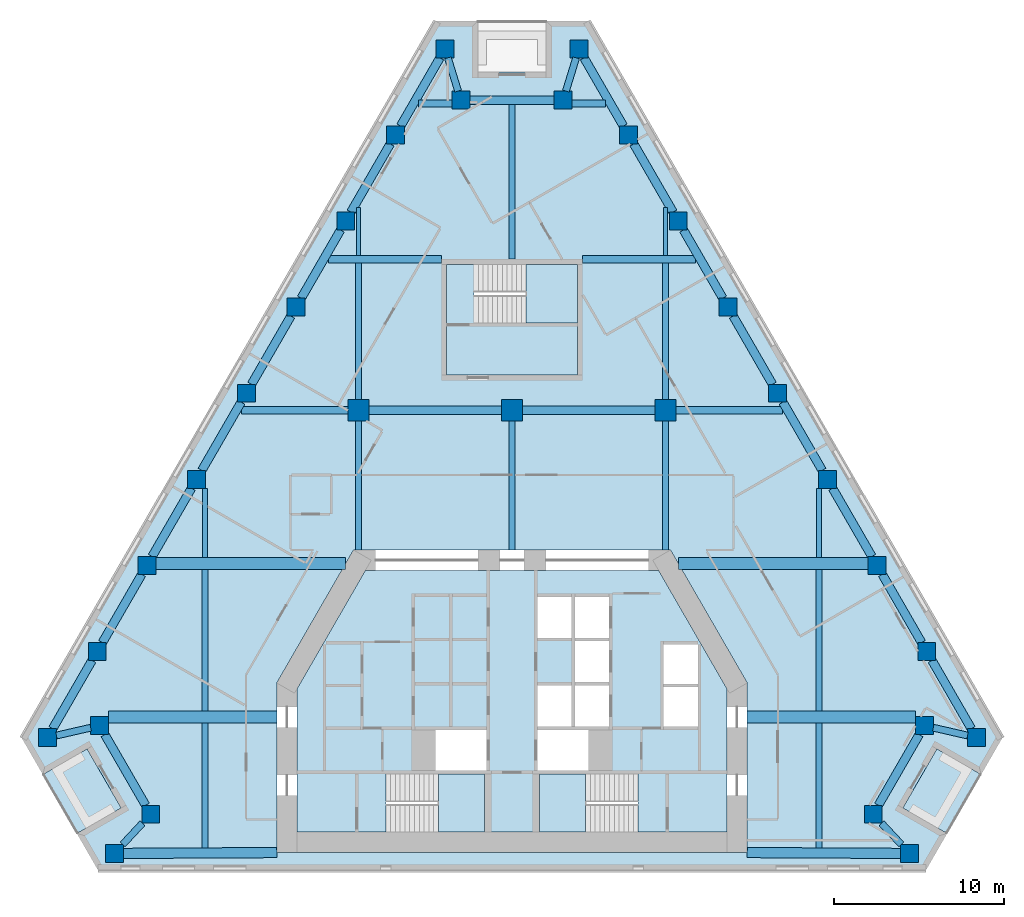
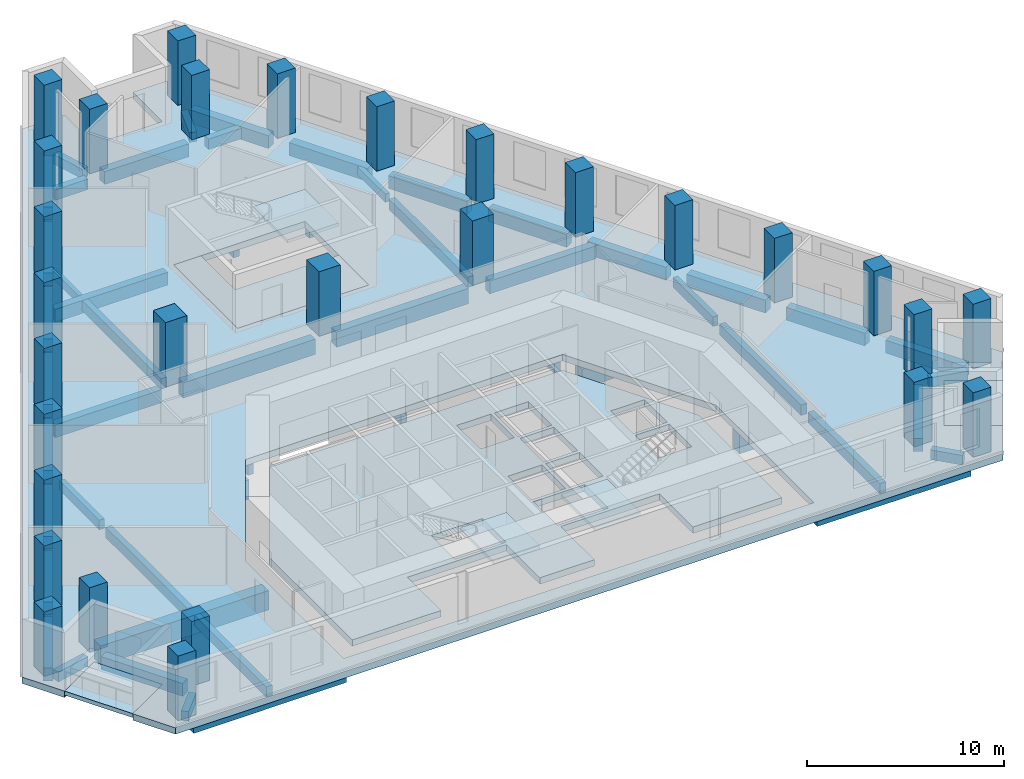
# One storey, part 1 of 8: 53 beams, 29 columns, 8 slabs, 3 elements without a shape of their own.
"""IFC4 building model written with IfcOpenShell, lengths in metres."""

import ifcopenshell
import ifcopenshell.guid

model = None  # the IFC model being written
_history = None  # IfcOwnerHistory: only IFC2X3 demands one
_inside = {}  # id of a spatial element -> (the spatial element, [elements in it])
_under = {}  # id of a project, library or spatial element -> (it, [spatial elements below it])
_declared = {}  # id of a project -> (the project, [libraries it declares])
_typed = {}  # id of a type object -> (the type object, [elements of that type])
_made_of = {}  # id of a material, layer set ... -> (it, [elements and type objects made of it])


def new_model(schema):
    """Start an empty IFC model of exactly this schema.

    Asked for "IFC4X3", IfcOpenShell would pick the latest addendum, in which some entities
    have other attributes; the version numbers below select the first issue.
    IFC2X3 requires an IfcOwnerHistory on every rooted entity: one is made here for all.
    """
    global model, _history
    if schema == "IFC4X3":
        model = ifcopenshell.file(schema_version=(4, 3, 0, 0))
    else:
        model = ifcopenshell.file(schema=schema)
    _inside.clear()
    _under.clear()
    _declared.clear()
    _typed.clear()
    _made_of.clear()
    _history = None
    if model.schema == "IFC2X3":
        org = make("IfcOrganization", Name="unknown")
        user = make(
            "IfcPersonAndOrganization",
            ThePerson=make("IfcPerson", FamilyName="unknown"),
            TheOrganization=org,
        )
        app = make(
            "IfcApplication",
            ApplicationDeveloper=org,
            Version="unknown",
            ApplicationFullName="unknown",
            ApplicationIdentifier="unknown",
        )
        _history = make(
            "IfcOwnerHistory",
            OwningUser=user,
            OwningApplication=app,
            ChangeAction="ADDED",
            CreationDate=0,
        )
    return model


def make(cls, **values):
    """One entity of the class cls with the attributes given. An attribute that is None is left unset."""
    return model.create_entity(
        cls, **{name: value for name, value in values.items() if value is not None}
    )


def rooted(cls, **values):
    """An entity with a GlobalId (a new one), such as an element, a storey or a relation."""
    return make(cls, GlobalId=ifcopenshell.guid.new(), OwnerHistory=_history, **values)


def si_unit(unit_type, name, prefix=None):
    """IfcSIUnit, for example si_unit("LENGTHUNIT", "METRE", prefix="MILLI")."""
    return make("IfcSIUnit", UnitType=unit_type, Prefix=prefix, Name=name)


def assignment(units):
    """IfcUnitAssignment: the units of a project."""
    return None if units is None else make("IfcUnitAssignment", Units=units)


def point(xyz):
    """IfcCartesianPoint."""
    return None if xyz is None else make("IfcCartesianPoint", Coordinates=xyz)


def direction(xyz):
    """IfcDirection."""
    return None if xyz is None else make("IfcDirection", DirectionRatios=xyz)


def frame(location, z_axis=None, x_axis=None):
    """IfcAxis2Placement3D, a coordinate frame: its origin and axes. An axis left out is left unset."""
    return make(
        "IfcAxis2Placement3D",
        Location=point(location),
        Axis=direction(z_axis),
        RefDirection=direction(x_axis),
    )


def frame_2d(location, x_axis=None):
    """IfcAxis2Placement2D, a coordinate frame in the plane: its origin and x axis."""
    return make(
        "IfcAxis2Placement2D", Location=point(location), RefDirection=direction(x_axis)
    )


def origin():
    """The frame at (0, 0, 0) with its axes left unset."""
    return frame((0.0, 0.0, 0.0))


def origin_2d():
    """The frame at (0, 0) in the plane with its x axis left unset."""
    return frame_2d((0.0, 0.0))


def place(relative_to, where):
    """IfcLocalPlacement: puts the frame where relative to a parent placement (None: the world)."""
    return make(
        "IfcLocalPlacement", PlacementRelTo=relative_to, RelativePlacement=where
    )


def context(
    kind, dimensions, precision=None, world=None, true_north=None, identifier=None
):
    """IfcGeometricRepresentationContext, for example the 3D "Model" context."""
    return make(
        "IfcGeometricRepresentationContext",
        ContextIdentifier=identifier,
        ContextType=kind,
        CoordinateSpaceDimension=dimensions,
        Precision=precision,
        WorldCoordinateSystem=world,
        TrueNorth=true_north,
    )


def subcontext(parent, identifier, kind, view, scale=None):
    """IfcGeometricRepresentationSubContext, for example "Body" below "Model"."""
    return make(
        "IfcGeometricRepresentationSubContext",
        ContextIdentifier=identifier,
        ContextType=kind,
        ParentContext=parent,
        TargetScale=scale,
        TargetView=view,
    )


def project(units=None, contexts=None):
    """IfcProject with its units and contexts."""
    return rooted(
        "IfcProject",
        Name="project",
        RepresentationContexts=contexts,
        UnitsInContext=assignment(units),
    )


def spatial(cls, under=None, at=None, **own):
    """A site, building, storey or space (cls), placed at a placement, below another one or the project."""
    s = rooted(cls, ObjectPlacement=at, **own)
    if under is not None:
        _under.setdefault(under.id(), (under, []))[1].append(s)
    return s


def polyline(points):
    """IfcPolyline through the points."""
    return make("IfcPolyline", Points=[point(p) for p in points])


def profile(cls, at=None, kind="AREA", **sizes):
    """A parametric profile (cls). Its sizes go by their IFC names, for example OverallWidth=200.0."""
    return make(cls, ProfileType=kind, Position=at, **sizes)


def rectangle(**sizes):
    """IfcRectangleProfileDef."""
    return profile("IfcRectangleProfileDef", **sizes)


def outline(outer, holes=None, kind="AREA"):
    """IfcArbitraryClosedProfileDef: a profile drawn as a closed curve; with holes, ...WithVoids."""
    if holes is None:
        return make("IfcArbitraryClosedProfileDef", ProfileType=kind, OuterCurve=outer)
    return make(
        "IfcArbitraryProfileDefWithVoids",
        ProfileType=kind,
        OuterCurve=outer,
        InnerCurves=holes,
    )


def extrude(swept, where, along, depth):
    """IfcExtrudedAreaSolid: the profile swept, set in the frame where, extruded along a direction by depth."""
    return make(
        "IfcExtrudedAreaSolid",
        SweptArea=swept,
        Position=where,
        ExtrudedDirection=direction(along),
        Depth=depth,
    )


def shape(context_of_items, identifier, shape_type, items):
    """IfcShapeRepresentation: the items that make up one representation, for example the "Body"."""
    return make(
        "IfcShapeRepresentation",
        ContextOfItems=context_of_items,
        RepresentationIdentifier=identifier,
        RepresentationType=shape_type,
        Items=items,
    )


def material(Name=None, Category=None):
    """IfcMaterial."""
    return make("IfcMaterial", Name=Name, Category=Category)


def layer(
    of_material, thickness, ventilated=None, Name=None, Category=None, Priority=None
):
    """IfcMaterialLayer: one layer of a wall or slab, of a material (None: an air gap)."""
    return make(
        "IfcMaterialLayer",
        Material=of_material,
        LayerThickness=thickness,
        IsVentilated=ventilated,
        Name=Name,
        Category=Category,
        Priority=Priority,
    )


def layer_set(layers, Name=None):
    """IfcMaterialLayerSet."""
    return make("IfcMaterialLayerSet", MaterialLayers=layers, LayerSetName=Name)


def material_profile(
    of_material, cross_section, Name=None, Category=None, Priority=None
):
    """IfcMaterialProfile: a cross section and its material."""
    return make(
        "IfcMaterialProfile",
        Name=Name,
        Material=of_material,
        Profile=cross_section,
        Priority=Priority,
        Category=Category,
    )


def profile_set(profiles, Name=None, composite=None):
    """IfcMaterialProfileSet."""
    return make(
        "IfcMaterialProfileSet",
        Name=Name,
        MaterialProfiles=profiles,
        CompositeProfile=composite,
    )


def made_of(thing, what):
    """Note that an element or type object is made of a material, layer set ...; save() writes the relation."""
    if what is not None:
        _made_of.setdefault(what.id(), (what, []))[1].append(thing)
    return thing


def type_object(cls, material=None, **own):
    """A type object (cls), such as IfcWallType, which elements share."""
    return made_of(rooted(cls, **own), material)


def element(
    cls,
    number,
    at=None,
    inside=None,
    cuts=None,
    type_object=None,
    material=None,
    context=None,
    identifier="Body",
    shape_type=None,
    held_by="IfcProductDefinitionShape",
    body=None,
    shapes=None,
    **own,
):
    """One element of the class cls, such as IfcWall. Its Tag is "e" and its number.

    at: its placement. inside: the storey or other place that contains it. cuts: it is an
    opening in that element (IfcRelVoidsElement). A single representation is given by context,
    identifier, shape_type and body (its items); several are given by shapes. held_by: the class
    of the entity that holds the representations. save() writes the other relations.
    """
    e = rooted(cls, Tag="e%d" % number, ObjectPlacement=at, **own)
    if body is not None:
        shapes = [shape(context, identifier, shape_type, body)]
    if shapes is not None:
        e.Representation = make(held_by, Representations=shapes)
    if inside is not None:
        _inside.setdefault(inside.id(), (inside, []))[1].append(e)
    if cuts is not None:
        rooted(
            "IfcRelVoidsElement", RelatingBuildingElement=cuts, RelatedOpeningElement=e
        )
    if type_object is not None:
        _typed.setdefault(type_object.id(), (type_object, []))[1].append(e)
    return made_of(e, material)


def aggregate(whole, parts):
    """IfcRelAggregates: a whole, such as a stair, and the parts it consists of."""
    return rooted("IfcRelAggregates", RelatingObject=whole, RelatedObjects=parts)


def save(model, path):
    """Write the relations noted so far, then the file.

    IfcRelAggregates (storeys below a building ...), IfcRelContainedInSpatialStructure (elements
    in a storey), IfcRelDefinesByType, IfcRelAssociatesMaterial and IfcRelDeclares: one each for
    every whole, place, type object, material and project.
    """
    for whole, parts in _under.values():
        aggregate(whole, parts)
    for where, things in _inside.values():
        rooted(
            "IfcRelContainedInSpatialStructure",
            RelatedElements=things,
            RelatingStructure=where,
        )
    for kind, things in _typed.values():
        rooted("IfcRelDefinesByType", RelatedObjects=things, RelatingType=kind)
    for what, things in _made_of.values():
        rooted("IfcRelAssociatesMaterial", RelatedObjects=things, RelatingMaterial=what)
    for by, libraries in _declared.values():
        rooted("IfcRelDeclares", RelatingContext=by, RelatedDefinitions=libraries)
    model.write(path)


model = new_model("IFC4")

# Units and contexts
model_context = context("Model", 3, precision=1e-05, world=origin(), true_north=direction((0.0, 1.0)))
body_context = subcontext(model_context, "Body", "Model", "MODEL_VIEW")
ifc_project = project(units=[si_unit("LENGTHUNIT", "METRE"), si_unit("AREAUNIT", "SQUARE_METRE"), si_unit("VOLUMEUNIT", "CUBIC_METRE"), si_unit("PLANEANGLEUNIT", "RADIAN"), si_unit("MASSUNIT", "GRAM", prefix="KILO")], contexts=[model_context])

# Site, building, storey
site_placement = place(None, origin())
site = spatial("IfcSite", under=ifc_project, at=site_placement, CompositionType="ELEMENT")
building_placement = place(site_placement, origin())
building = spatial("IfcBuilding", under=site, at=building_placement, Name="Fogline Exchange Tower", CompositionType="ELEMENT")
storey_placement = place(building_placement, frame((0.0, 0.0, 158.89990234375)))
storey = spatial("IfcBuildingStorey", under=building, at=storey_placement, Name="L35", CompositionType="ELEMENT", Elevation=158.89990234375)

# Columns
ifc_material_1 = material(Name="Concrete C70", Category="concrete")
ifc_material_profile_1 = material_profile(ifc_material_1, rectangle(XDim=1.25, YDim=1.25, at=origin_2d()), Name="RC 1250x1250")
ifc_profile_set_1 = profile_set([ifc_material_profile_1], Name="Concrete C70")
column_type_1 = type_object("IfcColumnType", Name="C03", PredefinedType="COLUMN", material=ifc_profile_set_1)
for number, where, z_axis, x_axis, name in (
    (1, (-9.0, 27.0, 0.0), (0.0, 0.0, 1.0), (1.0, 0.0, 0.0), "IC--9-27"),
    (2, (0.0, 27.0, 0.0), (0.0, 0.0, 1.0), (1.0, 0.0, 0.0), "IC-0-27"),
    (3, (9.0, 27.0, 0.0), (0.0, 0.0, 1.0), (1.0, 0.0, 0.0), "IC-9-27"),
):
    element("IfcColumn", number, at=place(storey_placement, frame(where, z_axis=z_axis, x_axis=x_axis)), inside=storey, type_object=column_type_1, Name=name, PredefinedType="COLUMN", context=body_context, shape_type="SweptSolid", body=[
        extrude(rectangle(XDim=1.25, YDim=1.25, at=origin_2d()), origin(), (0.0, 0.0, 1.0), 4.0),
    ])
ifc_material_profile_2 = material_profile(ifc_material_1, rectangle(XDim=1.050048828125, YDim=1.050048828125, at=origin_2d()), Name="RC 1050x1050")
ifc_profile_set_2 = profile_set([ifc_material_profile_2], Name="Concrete C70")
column_type_2 = type_object("IfcColumnType", Name="C04", PredefinedType="COLUMN", material=ifc_profile_set_2)
for number, where, z_axis, x_axis, name in (
    (4, (-27.2490234375, 7.794189453125, 0.0), (0.0, 0.0, 1.0), (1.0, 0.0, 0.0), "SW-a"),
    (5, (-24.189697265625, 8.4951171875, 0.0), (0.0, 0.0, 1.0), (1.0, 0.0, 0.0), "SW-p4"),
    (6, (-21.189697265625, 3.299072265625, 0.0), (0.0, 0.0, 1.0), (1.0, 0.0, 0.0), "SW-p3"),
    (7, (-23.326416015625, 1.0, 0.0), (0.0, 0.0, 1.0), (1.0, 0.0, 0.0), "SW-b"),
    (8, (23.326416015625, 1.0, 0.0), (0.0, 0.0, 1.0), (1.0, 0.0, 0.0), "SE-a"),
    (9, (21.189697265625, 3.299072265625, 0.0), (0.0, 0.0, 1.0), (1.0, 0.0, 0.0), "SE-p4"),
    (10, (24.189697265625, 8.4951171875, 0.0), (0.0, 0.0, 1.0), (1.0, 0.0, 0.0), "SE-p3"),
    (11, (27.2490234375, 7.794189453125, 0.0), (0.0, 0.0, 1.0), (1.0, 0.0, 0.0), "SE-b"),
    (12, (24.333251953125, 12.844482421875, 0.0), (0.0, 0.0, 1.0), (1.0, 0.0, 0.0), "E1"),
    (13, (21.41748046875, 17.894775390625, 0.0), (0.0, 0.0, 1.0), (1.0, 0.0, 0.0), "E2"),
    (14, (18.501708984375, 22.945068359375, 0.0), (0.0, 0.0, 1.0), (1.0, 0.0, 0.0), "E3"),
    (15, (15.585693359375, 27.995361328125, 0.0), (0.0, 0.0, 1.0), (1.0, 0.0, 0.0), "E4"),
    (16, (12.669921875, 33.045654296875, 0.0), (0.0, 0.0, 1.0), (1.0, 0.0, 0.0), "E5"),
    (17, (9.754150390625, 38.095947265625, 0.0), (0.0, 0.0, 1.0), (1.0, 0.0, 0.0), "E6"),
    (18, (6.83837890625, 43.146240234375, 0.0), (0.0, 0.0, 1.0), (1.0, 0.0, 0.0), "E7"),
    (19, (3.922607421875, 48.19677734375, 0.0), (0.0, 0.0, 1.0), (1.0, 0.0, 0.0), "N-a"),
    (20, (3.0, 45.19677734375, 0.0), (0.0, 0.0, 1.0), (1.0, 0.0, 0.0), "N-p4"),
    (21, (-3.0, 45.19677734375, 0.0), (0.0, 0.0, 1.0), (1.0, 0.0, 0.0), "N-p3"),
    (22, (-3.922607421875, 48.19677734375, 0.0), (0.0, 0.0, 1.0), (1.0, 0.0, 0.0), "N-b"),
    (23, (-6.83837890625, 43.146240234375, 0.0), (0.0, 0.0, 1.0), (1.0, 0.0, 0.0), "W1"),
    (24, (-9.754150390625, 38.095947265625, 0.0), (0.0, 0.0, 1.0), (1.0, 0.0, 0.0), "W2"),
    (25, (-12.669921875, 33.045654296875, 0.0), (0.0, 0.0, 1.0), (1.0, 0.0, 0.0), "W3"),
    (26, (-15.585693359375, 27.995361328125, 0.0), (0.0, 0.0, 1.0), (1.0, 0.0, 0.0), "W4"),
    (27, (-18.501708984375, 22.945068359375, 0.0), (0.0, 0.0, 1.0), (1.0, 0.0, 0.0), "W5"),
    (28, (-21.41748046875, 17.894775390625, 0.0), (0.0, 0.0, 1.0), (1.0, 0.0, 0.0), "W6"),
    (29, (-24.333251953125, 12.844482421875, 0.0), (0.0, 0.0, 1.0), (1.0, 0.0, 0.0), "W7"),
):
    element("IfcColumn", number, at=place(storey_placement, frame(where, z_axis=z_axis, x_axis=x_axis)), inside=storey, type_object=column_type_2, Name=name, PredefinedType="COLUMN", context=body_context, shape_type="SweptSolid", body=[
        extrude(rectangle(XDim=1.050048828125, YDim=1.050048828125, at=origin_2d()), origin(), (0.0, 0.0, 1.0), 4.0),
    ])

# Beams
ifc_material_2 = material(Name="Concrete C40", Category="concrete")
ifc_material_profile_3 = material_profile(ifc_material_2, rectangle(XDim=0.300048828125, YDim=0.60009765625, at=origin_2d()), Name="RC 300x600")
ifc_profile_set_3 = profile_set([ifc_material_profile_3], Name="Concrete C40")
beam_type_1 = type_object("IfcBeamType", Name="B06", PredefinedType="BEAM", material=ifc_profile_set_3)
for number, where, z_axis, x_axis, name in (
    (30, (-18.0, 18.35009765625, -0.699951171875), (0.0, 1.0, 0.0), (-1.0, 0.0, 0.0), "SB003"),
    (31, (18.0, 18.35009765625, -0.699951171875), (0.0, 1.0, 0.0), (-1.0, 0.0, 0.0), "SB014"),
):
    element("IfcBeam", number, at=place(storey_placement, frame(where, z_axis=z_axis, x_axis=x_axis)), inside=storey, type_object=beam_type_1, Name=name, PredefinedType="BEAM", context=body_context, shape_type="SweptSolid", body=[
        extrude(rectangle(XDim=0.300048828125, YDim=0.60009765625, at=origin_2d()), origin(), (0.0, 0.0, 1.0), 4.070068359375),
    ])
ifc_material_profile_4 = material_profile(ifc_material_2, rectangle(XDim=0.25, YDim=0.5, at=origin_2d()), Name="RC 250x500")
ifc_profile_set_4 = profile_set([ifc_material_profile_4], Name="Concrete C40")
beam_type_2 = type_object("IfcBeamType", Name="B08", PredefinedType="BEAM", material=ifc_profile_set_4)
for number, where, z_axis, x_axis, name in (
    (32, (-9.0, 36.08203125, -0.64990234375), (0.0, 1.0, 0.0), (-1.0, 0.0, 0.0), "SB006"),
    (33, (9.0, 36.08203125, -0.64990234375), (0.0, 1.0, 0.0), (-1.0, 0.0, 0.0), "SB011"),
):
    element("IfcBeam", number, at=place(storey_placement, frame(where, z_axis=z_axis, x_axis=x_axis)), inside=storey, type_object=beam_type_2, Name=name, PredefinedType="BEAM", context=body_context, shape_type="SweptSolid", body=[
        extrude(rectangle(XDim=0.25, YDim=0.5, at=origin_2d()), origin(), (0.0, 0.0, 1.0), 2.8203125),
    ])
ifc_material_profile_5 = material_profile(ifc_material_2, rectangle(XDim=0.60009765625, YDim=0.89990234375, at=origin_2d()), Name="RC 600x900")
ifc_profile_set_5 = profile_set([ifc_material_profile_5], Name="Concrete C40")
beam_type_3 = type_object("IfcBeamType", Name="B09", PredefinedType="BEAM", material=ifc_profile_set_5)
for number, where, z_axis, x_axis, name in (
    (34, (-22.801513671875, 1.0, -0.849853515625), (0.999984543136, 0.005559990001, 0.0), (-0.005559990001, 0.999984543136, 0.0), "RB004"),
    (35, (13.800048828125, 1.050048828125, -0.849853515625), (0.999984543136, -0.005559990001, 0.0), (0.005559990001, 0.999984543136, 0.0), "RB005"),
):
    element("IfcBeam", number, at=place(storey_placement, frame(where, z_axis=z_axis, x_axis=x_axis)), inside=storey, type_object=beam_type_3, Name=name, PredefinedType="BEAM", context=body_context, shape_type="SweptSolid", body=[
        extrude(rectangle(XDim=0.60009765625, YDim=0.89990234375, at=origin_2d()), origin(), (0.0, 0.0, 1.0), 9.001708984375),
    ])
ifc_material_profile_6 = material_profile(ifc_material_2, rectangle(XDim=0.5, YDim=0.800048828125, at=origin_2d()), Name="RC 500x800")
ifc_profile_set_6 = profile_set([ifc_material_profile_6], Name="Concrete C40")
beam_type_4 = type_object("IfcBeamType", Name="B10", PredefinedType="BEAM", material=ifc_profile_set_6)
for number, where, z_axis, x_axis, name in (
    (36, (-23.886474609375, 7.97021484375, -0.7998046875), (0.499994660107, -0.866028486751, 0.0), (0.866028486751, 0.499994660107, 0.0), "RB002"),
    (37, (21.49267578125, 3.823974609375, -0.7998046875), (0.499994660107, 0.866028486751, 0.0), (-0.866028486751, 0.499994660107, 0.0), "RB007"),
):
    element("IfcBeam", number, at=place(storey_placement, frame(where, z_axis=z_axis, x_axis=x_axis)), inside=storey, type_object=beam_type_4, Name=name, PredefinedType="BEAM", context=body_context, shape_type="SweptSolid", body=[
        extrude(rectangle(XDim=0.5, YDim=0.800048828125, at=origin_2d()), origin(), (0.0, 0.0, 1.0), 4.78759765625),
    ])
for number, where, z_axis, x_axis, name in (
    (38, (26.94580078125, 8.319091796875, -0.7998046875), (-0.499981705991, 0.866035965578, 0.0), (-0.866035965578, -0.499981705991, 0.0), "RB009"),
    (39, (24.030029296875, 13.369384765625, -0.7998046875), (-0.499981705991, 0.866035965578, 0.0), (-0.866035965578, -0.499981705991, 0.0), "RB010"),
):
    element("IfcBeam", number, at=place(storey_placement, frame(where, z_axis=z_axis, x_axis=x_axis)), inside=storey, type_object=beam_type_4, Name=name, PredefinedType="BEAM", context=body_context, shape_type="SweptSolid", body=[
        extrude(rectangle(XDim=0.5, YDim=0.800048828125, at=origin_2d()), origin(), (0.0, 0.0, 1.0), 4.619384765625),
    ])
for number, where, z_axis, x_axis, name in (
    (40, (21.1142578125, 18.419921875, -0.7998046875), (-0.500004591975, 0.86602275259, 0.0), (-0.86602275259, -0.500004591975, 0.0), "RB011"),
    (41, (18.198486328125, 23.47021484375, -0.7998046875), (-0.500004591975, 0.86602275259, 0.0), (-0.86602275259, -0.500004591975, 0.0), "RB012"),
    (42, (15.28271484375, 28.5205078125, -0.7998046875), (-0.500004591975, 0.86602275259, 0.0), (-0.86602275259, -0.500004591975, 0.0), "RB013"),
    (43, (12.366943359375, 33.57080078125, -0.7998046875), (-0.500004591975, 0.86602275259, 0.0), (-0.86602275259, -0.500004591975, 0.0), "RB014"),
    (44, (9.451171875, 38.62109375, -0.7998046875), (-0.500004591975, 0.86602275259, 0.0), (-0.86602275259, -0.500004591975, 0.0), "RB015"),
    (45, (6.535400390625, 43.67138671875, -0.7998046875), (-0.500004591975, 0.86602275259, 0.0), (-0.86602275259, -0.500004591975, 0.0), "RB016"),
):
    element("IfcBeam", number, at=place(storey_placement, frame(where, z_axis=z_axis, x_axis=x_axis)), inside=storey, type_object=beam_type_4, Name=name, PredefinedType="BEAM", context=body_context, shape_type="SweptSolid", body=[
        extrude(rectangle(XDim=0.5, YDim=0.800048828125, at=origin_2d()), origin(), (0.0, 0.0, 1.0), 4.619140625),
    ])
beam_1_placement = place(storey_placement, frame((2.47509765625, 45.19677734375, -0.7998046875), z_axis=(-1.0, 0.0, 0.0), x_axis=(0.0, -1.0, 0.0)))
element("IfcBeam", 46, at=beam_1_placement, inside=storey, type_object=beam_type_4, Name="RB018", PredefinedType="BEAM", context=body_context, shape_type="SweptSolid", body=[
    extrude(rectangle(XDim=0.5, YDim=0.800048828125, at=origin_2d()), origin(), (0.0, 0.0, 1.0), 4.9501953125),
])
for number, where, z_axis, x_axis, name in (
    (47, (-4.225830078125, 47.671630859375, -0.7998046875), (-0.500004591975, -0.86602275259, 0.0), (0.86602275259, -0.500004591975, 0.0), "RB020"),
    (48, (-7.1416015625, 42.621337890625, -0.7998046875), (-0.500004591975, -0.86602275259, 0.0), (0.86602275259, -0.500004591975, 0.0), "RB021"),
    (49, (-10.057373046875, 37.571044921875, -0.7998046875), (-0.500004591975, -0.86602275259, 0.0), (0.86602275259, -0.500004591975, 0.0), "RB022"),
    (50, (-12.97314453125, 32.520751953125, -0.7998046875), (-0.500004591975, -0.86602275259, 0.0), (0.86602275259, -0.500004591975, 0.0), "RB023"),
    (51, (-15.888916015625, 27.470458984375, -0.7998046875), (-0.500004591975, -0.86602275259, 0.0), (0.86602275259, -0.500004591975, 0.0), "RB024"),
    (52, (-18.8046875, 22.420166015625, -0.7998046875), (-0.500004591975, -0.86602275259, 0.0), (0.86602275259, -0.500004591975, 0.0), "RB025"),
):
    element("IfcBeam", number, at=place(storey_placement, frame(where, z_axis=z_axis, x_axis=x_axis)), inside=storey, type_object=beam_type_4, Name=name, PredefinedType="BEAM", context=body_context, shape_type="SweptSolid", body=[
        extrude(rectangle(XDim=0.5, YDim=0.800048828125, at=origin_2d()), origin(), (0.0, 0.0, 1.0), 4.619140625),
    ])
for number, where, z_axis, x_axis, name in (
    (53, (-21.720458984375, 17.369873046875, -0.7998046875), (-0.499981705991, -0.866035965578, 0.0), (0.866035965578, -0.499981705991, 0.0), "RB026"),
    (54, (-24.63623046875, 12.319580078125, -0.7998046875), (-0.499981705991, -0.866035965578, 0.0), (0.866035965578, -0.499981705991, 0.0), "RB027"),
):
    element("IfcBeam", number, at=place(storey_placement, frame(where, z_axis=z_axis, x_axis=x_axis)), inside=storey, type_object=beam_type_4, Name=name, PredefinedType="BEAM", context=body_context, shape_type="SweptSolid", body=[
        extrude(rectangle(XDim=0.5, YDim=0.800048828125, at=origin_2d()), origin(), (0.0, 0.0, 1.0), 4.619384765625),
    ])
ifc_material_profile_7 = material_profile(ifc_material_2, rectangle(XDim=0.39990234375, YDim=0.60009765625, at=origin_2d()), Name="RC 400x600")
ifc_profile_set_7 = profile_set([ifc_material_profile_7], Name="Concrete C40")
beam_type_5 = type_object("IfcBeamType", Name="B11", PredefinedType="BEAM", material=ifc_profile_set_7)
beam_2_placement = place(storey_placement, frame((-26.72412109375, 7.91455078125, -0.699951171875), z_axis=(0.974739301343, 0.223345683676, 0.0), x_axis=(-0.223345683676, 0.974739301343, 0.0)))
element("IfcBeam", 55, at=beam_2_placement, inside=storey, type_object=beam_type_5, Name="RB001", PredefinedType="BEAM", context=body_context, shape_type="SweptSolid", body=[
    extrude(rectangle(XDim=0.39990234375, YDim=0.60009765625, at=origin_2d()), origin(), (0.0, 0.0, 1.0), 2.0615234375),
])
for number, where, z_axis, x_axis, name in (
    (56, (-21.677490234375, 2.77392578125, -0.699951171875), (-0.680791505026, -0.732477253357, 0.0), (0.732477253357, -0.680791505026, 0.0), "RB003"),
    (57, (22.83837890625, 1.52490234375, -0.699951171875), (-0.680791505026, 0.732477253357, 0.0), (-0.732477253357, -0.680791505026, 0.0), "RB006"),
):
    element("IfcBeam", number, at=place(storey_placement, frame(where, z_axis=z_axis, x_axis=x_axis)), inside=storey, type_object=beam_type_5, Name=name, PredefinedType="BEAM", context=body_context, shape_type="SweptSolid", body=[
        extrude(rectangle(XDim=0.39990234375, YDim=0.60009765625, at=origin_2d()), origin(), (0.0, 0.0, 1.0), 1.705322265625),
    ])
beam_3_placement = place(storey_placement, frame((24.714599609375, 8.375, -0.699951171875), z_axis=(0.974739301343, -0.223345683676, 0.0), x_axis=(0.223345683676, 0.974739301343, 0.0)))
element("IfcBeam", 58, at=beam_3_placement, inside=storey, type_object=beam_type_5, Name="RB008", PredefinedType="BEAM", context=body_context, shape_type="SweptSolid", body=[
    extrude(rectangle(XDim=0.39990234375, YDim=0.60009765625, at=origin_2d()), origin(), (0.0, 0.0, 1.0), 2.0615234375),
])
for number, where, z_axis, x_axis, name in (
    (59, (3.76123046875, 47.671630859375, -0.699951171875), (-0.293917654764, -0.955830744545, 0.0), (0.955830744545, -0.293917654764, 0.0), "RB017"),
    (60, (-3.16162109375, 45.7216796875, -0.699951171875), (-0.293917654764, 0.955830744545, 0.0), (-0.955830744545, -0.293917654764, 0.0), "RB019"),
):
    element("IfcBeam", number, at=place(storey_placement, frame(where, z_axis=z_axis, x_axis=x_axis)), inside=storey, type_object=beam_type_5, Name=name, PredefinedType="BEAM", context=body_context, shape_type="SweptSolid", body=[
        extrude(rectangle(XDim=0.39990234375, YDim=0.60009765625, at=origin_2d()), origin(), (0.0, 0.0, 1.0), 2.0400390625),
    ])
ifc_material_profile_8 = material_profile(ifc_material_2, rectangle(XDim=0.39990234375, YDim=0.64990234375, at=origin_2d()), Name="RC 400x650")
ifc_profile_set_8 = profile_set([ifc_material_profile_8], Name="Concrete C40")
beam_type_6 = type_object("IfcBeamType", Name="B13", PredefinedType="BEAM", material=ifc_profile_set_8)
for number, where, z_axis, x_axis, name in (
    (61, (-5.4794921875, 45.0, -0.724853515625), (1.0, 0.0, 0.0), (0.0, 1.0, 0.0), "GB011"),
    (62, (3.52490234375, 45.0, -0.724853515625), (1.0, 0.0, 0.0), (0.0, 1.0, 0.0), "GB012"),
):
    element("IfcBeam", number, at=place(storey_placement, frame(where, z_axis=z_axis, x_axis=x_axis)), inside=storey, type_object=beam_type_6, Name=name, PredefinedType="BEAM", context=body_context, shape_type="SweptSolid", body=[
        extrude(rectangle(XDim=0.39990234375, YDim=0.64990234375, at=origin_2d()), origin(), (0.0, 0.0, 1.0), 1.95458984375),
    ])
ifc_material_profile_9 = material_profile(ifc_material_2, rectangle(XDim=0.5, YDim=0.949951171875, at=origin_2d()), Name="RC 500x950")
ifc_profile_set_9 = profile_set([ifc_material_profile_9], Name="Concrete C40")
beam_type_7 = type_object("IfcBeamType", Name="B14", PredefinedType="BEAM", material=ifc_profile_set_9)
for number, where, z_axis, x_axis, name in (
    (63, (-8.375, 27.0, -0.875), (1.0, 0.0, 0.0), (0.0, 1.0, 0.0), "GB006"),
    (64, (0.625, 27.0, -0.875), (1.0, 0.0, 0.0), (0.0, 1.0, 0.0), "GB007"),
):
    element("IfcBeam", number, at=place(storey_placement, frame(where, z_axis=z_axis, x_axis=x_axis)), inside=storey, type_object=beam_type_7, Name=name, PredefinedType="BEAM", context=body_context, shape_type="SweptSolid", body=[
        extrude(rectangle(XDim=0.5, YDim=0.949951171875, at=origin_2d()), origin(), (0.0, 0.0, 1.0), 7.75),
    ])
ifc_material_profile_10 = material_profile(ifc_material_2, rectangle(XDim=0.35009765625, YDim=0.64990234375, at=origin_2d()), Name="RC 350x650")
ifc_profile_set_10 = profile_set([ifc_material_profile_10], Name="Concrete C40")
beam_type_8 = type_object("IfcBeamType", Name="B16", PredefinedType="BEAM", material=ifc_profile_set_10)
beam_4_placement = place(storey_placement, frame((-18.0, 1.327880859375, -0.724853515625), z_axis=(0.0, 1.0, 0.0), x_axis=(-1.0, 0.0, 0.0)))
element("IfcBeam", 65, at=beam_4_placement, inside=storey, type_object=beam_type_8, Name="SB001", PredefinedType="BEAM", context=body_context, shape_type="SweptSolid", body=[
    extrude(rectangle(XDim=0.35009765625, YDim=0.64990234375, at=origin_2d()), origin(), (0.0, 0.0, 1.0), 7.322021484375),
])
beam_5_placement = place(storey_placement, frame((-18.0, 9.35009765625, -0.724853515625), z_axis=(0.0, 1.0, 0.0), x_axis=(-1.0, 0.0, 0.0)))
element("IfcBeam", 66, at=beam_5_placement, inside=storey, type_object=beam_type_8, Name="SB002", PredefinedType="BEAM", context=body_context, shape_type="SweptSolid", body=[
    extrude(rectangle(XDim=0.35009765625, YDim=0.64990234375, at=origin_2d()), origin(), (0.0, 0.0, 1.0), 8.2998046875),
])
beam_6_placement = place(storey_placement, frame((-9.0, 18.800048828125, -0.724853515625), z_axis=(0.0, 1.0, 0.0), x_axis=(-1.0, 0.0, 0.0)))
element("IfcBeam", 67, at=beam_6_placement, inside=storey, type_object=beam_type_8, Name="SB004", PredefinedType="BEAM", context=body_context, shape_type="SweptSolid", body=[
    extrude(rectangle(XDim=0.35009765625, YDim=0.64990234375, at=origin_2d()), origin(), (0.0, 0.0, 1.0), 7.574951171875),
])
beam_7_placement = place(storey_placement, frame((-9.0, 27.625, -0.724853515625), z_axis=(0.0, 1.0, 0.0), x_axis=(-1.0, 0.0, 0.0)))
element("IfcBeam", 68, at=beam_7_placement, inside=storey, type_object=beam_type_8, Name="SB005", PredefinedType="BEAM", context=body_context, shape_type="SweptSolid", body=[
    extrude(rectangle(XDim=0.35009765625, YDim=0.64990234375, at=origin_2d()), origin(), (0.0, 0.0, 1.0), 8.007080078125),
])
beam_8_placement = place(storey_placement, frame((0.0, 18.800048828125, -0.724853515625), z_axis=(0.0, 1.0, 0.0), x_axis=(-1.0, 0.0, 0.0)))
element("IfcBeam", 69, at=beam_8_placement, inside=storey, type_object=beam_type_8, Name="SB007", PredefinedType="BEAM", context=body_context, shape_type="SweptSolid", body=[
    extrude(rectangle(XDim=0.35009765625, YDim=0.64990234375, at=origin_2d()), origin(), (0.0, 0.0, 1.0), 7.574951171875),
])
beam_9_placement = place(storey_placement, frame((0.0, 35.85693359375, -0.724853515625), z_axis=(0.0, 1.0, 0.0), x_axis=(-1.0, 0.0, 0.0)))
element("IfcBeam", 70, at=beam_9_placement, inside=storey, type_object=beam_type_8, Name="SB008", PredefinedType="BEAM", context=body_context, shape_type="SweptSolid", body=[
    extrude(rectangle(XDim=0.35009765625, YDim=0.64990234375, at=origin_2d()), origin(), (0.0, 0.0, 1.0), 9.08984375),
])
beam_10_placement = place(storey_placement, frame((9.0, 18.800048828125, -0.724853515625), z_axis=(0.0, 1.0, 0.0), x_axis=(-1.0, 0.0, 0.0)))
element("IfcBeam", 71, at=beam_10_placement, inside=storey, type_object=beam_type_8, Name="SB009", PredefinedType="BEAM", context=body_context, shape_type="SweptSolid", body=[
    extrude(rectangle(XDim=0.35009765625, YDim=0.64990234375, at=origin_2d()), origin(), (0.0, 0.0, 1.0), 7.574951171875),
])
beam_11_placement = place(storey_placement, frame((9.0, 27.625, -0.724853515625), z_axis=(0.0, 1.0, 0.0), x_axis=(-1.0, 0.0, 0.0)))
element("IfcBeam", 72, at=beam_11_placement, inside=storey, type_object=beam_type_8, Name="SB010", PredefinedType="BEAM", context=body_context, shape_type="SweptSolid", body=[
    extrude(rectangle(XDim=0.35009765625, YDim=0.64990234375, at=origin_2d()), origin(), (0.0, 0.0, 1.0), 8.007080078125),
])
beam_12_placement = place(storey_placement, frame((18.0, 1.327880859375, -0.724853515625), z_axis=(0.0, 1.0, 0.0), x_axis=(-1.0, 0.0, 0.0)))
element("IfcBeam", 73, at=beam_12_placement, inside=storey, type_object=beam_type_8, Name="SB012", PredefinedType="BEAM", context=body_context, shape_type="SweptSolid", body=[
    extrude(rectangle(XDim=0.35009765625, YDim=0.64990234375, at=origin_2d()), origin(), (0.0, 0.0, 1.0), 7.322021484375),
])
beam_13_placement = place(storey_placement, frame((18.0, 9.35009765625, -0.724853515625), z_axis=(0.0, 1.0, 0.0), x_axis=(-1.0, 0.0, 0.0)))
element("IfcBeam", 74, at=beam_13_placement, inside=storey, type_object=beam_type_8, Name="SB013", PredefinedType="BEAM", context=body_context, shape_type="SweptSolid", body=[
    extrude(rectangle(XDim=0.35009765625, YDim=0.64990234375, at=origin_2d()), origin(), (0.0, 0.0, 1.0), 8.2998046875),
])
ifc_material_profile_11 = material_profile(ifc_material_2, rectangle(XDim=0.699951171875, YDim=1.199951171875, at=origin_2d()), Name="RC 700x1200")
ifc_profile_set_11 = profile_set([ifc_material_profile_11], Name="Concrete C40")
beam_type_9 = type_object("IfcBeamType", Name="B17", PredefinedType="BEAM", material=ifc_profile_set_11)
for number, where, z_axis, x_axis, name in (
    (75, (-23.66455078125, 9.0, -1.0), (1.0, 0.0, 0.0), (0.0, 1.0, 0.0), "GB001"),
    (76, (13.800048828125, 9.0, -1.0), (1.0, 0.0, 0.0), (0.0, 1.0, 0.0), "GB002"),
):
    element("IfcBeam", number, at=place(storey_placement, frame(where, z_axis=z_axis, x_axis=x_axis)), inside=storey, type_object=beam_type_9, Name=name, PredefinedType="BEAM", context=body_context, shape_type="SweptSolid", body=[
        extrude(rectangle(XDim=0.699951171875, YDim=1.199951171875, at=origin_2d()), origin(), (0.0, 0.0, 1.0), 9.864501953125),
    ])
for number, where, z_axis, x_axis, name in (
    (77, (-20.892333984375, 18.0, -1.0), (1.0, 0.0, 0.0), (0.0, 1.0, 0.0), "GB003"),
    (78, (9.758056640625, 18.0, -1.0), (1.0, 0.0, 0.0), (0.0, 1.0, 0.0), "GB004"),
):
    element("IfcBeam", number, at=place(storey_placement, frame(where, z_axis=z_axis, x_axis=x_axis)), inside=storey, type_object=beam_type_9, Name=name, PredefinedType="BEAM", context=body_context, shape_type="SweptSolid", body=[
        extrude(rectangle(XDim=0.699951171875, YDim=1.199951171875, at=origin_2d()), origin(), (0.0, 0.0, 1.0), 11.13427734375),
    ])
ifc_material_profile_12 = material_profile(ifc_material_2, rectangle(XDim=0.449951171875, YDim=0.800048828125, at=origin_2d()), Name="RC 450x800")
ifc_profile_set_12 = profile_set([ifc_material_profile_12], Name="Concrete C40")
beam_type_10 = type_object("IfcBeamType", Name="B18", PredefinedType="BEAM", material=ifc_profile_set_12)
for number, where, z_axis, x_axis, name in (
    (79, (-15.871826171875, 27.0, -0.7998046875), (1.0, 0.0, 0.0), (0.0, 1.0, 0.0), "GB005"),
    (80, (9.625, 27.0, -0.7998046875), (1.0, 0.0, 0.0), (0.0, 1.0, 0.0), "GB008"),
):
    element("IfcBeam", number, at=place(storey_placement, frame(where, z_axis=z_axis, x_axis=x_axis)), inside=storey, type_object=beam_type_10, Name=name, PredefinedType="BEAM", context=body_context, shape_type="SweptSolid", body=[
        extrude(rectangle(XDim=0.449951171875, YDim=0.800048828125, at=origin_2d()), origin(), (0.0, 0.0, 1.0), 6.246826171875),
    ])
for number, where, z_axis, x_axis, name in (
    (81, (-10.75830078125, 35.85693359375, -0.7998046875), (1.0, 0.0, 0.0), (0.0, 1.0, 0.0), "GB009"),
    (82, (4.14990234375, 35.85693359375, -0.7998046875), (1.0, 0.0, 0.0), (0.0, 1.0, 0.0), "GB010"),
):
    element("IfcBeam", number, at=place(storey_placement, frame(where, z_axis=z_axis, x_axis=x_axis)), inside=storey, type_object=beam_type_10, Name=name, PredefinedType="BEAM", context=body_context, shape_type="SweptSolid", body=[
        extrude(rectangle(XDim=0.449951171875, YDim=0.800048828125, at=origin_2d()), origin(), (0.0, 0.0, 1.0), 6.6083984375),
    ])

# Slabs
ifc_layer_1 = layer(ifc_material_2, 0.25)
ifc_layer_set_1 = layer_set([ifc_layer_1], Name="DK1")
slab_type_1 = type_object("IfcSlabType", Name="DK1", PredefinedType="FLOOR", material=ifc_layer_set_1)
slab_1_placement = place(storey_placement, frame((0.0, 0.0, -0.25)))
element("IfcSlab", 83, at=slab_1_placement, inside=storey, type_object=slab_type_1, Name="Balcony L35 SW", PredefinedType="FLOOR", context=body_context, shape_type="SweptSolid", body=[
    extrude(outline(polyline([(-27.526123046875, 5.629150390625), (-25.526123046875, 2.1650390625), (-22.927978515625, 3.6650390625), (-24.927978515625, 7.129150390625), (-27.526123046875, 5.629150390625)])), origin(), (0.0, 0.0, 1.0), 0.25),
])
slab_2_placement = place(storey_placement, frame((0.0, 0.0, -0.25)))
element("IfcSlab", 84, at=slab_2_placement, inside=storey, type_object=slab_type_1, Name="Balcony L35 SE", PredefinedType="FLOOR", context=body_context, shape_type="SweptSolid", body=[
    extrude(outline(polyline([(25.526123046875, 2.1650390625), (27.526123046875, 5.629150390625), (24.927978515625, 7.129150390625), (22.927978515625, 3.6650390625), (25.526123046875, 2.1650390625)])), origin(), (0.0, 0.0, 1.0), 0.25),
])
ifc_layer_2 = layer(ifc_material_2, 0.39990234375)
ifc_layer_set_2 = layer_set([ifc_layer_2], Name="S03")
slab_type_2 = type_object("IfcSlabType", Name="S03", PredefinedType="FLOOR", material=ifc_layer_set_2)
slab_3_placement = place(storey_placement, frame((0.0, 0.0, -0.39990234375)))
element("IfcSlab", 85, at=slab_3_placement, inside=storey, type_object=slab_type_2, Name="SLAB L35", PredefinedType="FLOOR", context=body_context, shape_type="SweptSolid", body=[
    extrude(outline(polyline([(-2.0, 49.841796875), (-4.5, 49.841796875), (-28.776123046875, 7.794189453125), (-27.526123046875, 5.629150390625), (-24.927978515625, 7.129150390625), (-22.927978515625, 3.6650390625), (-25.526123046875, 2.1650390625), (-24.276123046875, 0.0), (24.276123046875, 0.0), (25.526123046875, 2.1650390625), (22.927978515625, 3.6650390625), (24.927978515625, 7.129150390625), (27.526123046875, 5.629150390625), (28.776123046875, 7.794189453125), (4.5, 49.841796875), (2.0, 49.841796875), (2.0, 46.841796875), (-2.0, 46.841796875), (-2.0, 49.841796875)]), holes=[polyline([(13.800048828125, 10.9990234375), (13.800048828125, 1.050048828125), (-13.800048828125, 1.050048828125), (-13.800048828125, 10.9990234375), (-9.296142578125, 18.800048828125), (9.296142578125, 18.800048828125), (13.800048828125, 10.9990234375)]), polyline([(3.85009765625, 35.556884765625), (3.85009765625, 29.056884765625), (-3.85009765625, 29.056884765625), (-3.85009765625, 35.556884765625), (3.85009765625, 35.556884765625)])]), origin(), (0.0, 0.0, 1.0), 0.39990234375),
])
slab_4_placement = place(storey_placement, frame((0.0, 0.0, -0.39990234375)))
element("IfcSlab", 86, at=slab_4_placement, inside=storey, type_object=slab_type_2, Name="Core floor slab", PredefinedType="FLOOR", context=body_context, shape_type="SweptSolid", body=[
    extrude(outline(polyline([(-12.60009765625, 2.25), (-12.60009765625, 10.677490234375), (-8.603271484375, 17.60009765625), (8.603271484375, 17.60009765625), (12.60009765625, 10.677490234375), (12.60009765625, 2.25), (7.389892578125, 2.25), (7.389892578125, 5.64990234375), (1.60009765625, 5.64990234375), (1.60009765625, 2.25), (-1.60009765625, 2.25), (-1.60009765625, 5.64990234375), (-7.389892578125, 5.64990234375), (-7.389892578125, 2.25), (-12.60009765625, 2.25)]), holes=[polyline([(-4.5, 8.25), (-4.5, 5.85009765625), (-1.5, 5.85009765625), (-1.5, 8.25), (-4.5, 8.25)]), polyline([(4.5, 8.25), (1.5, 8.25), (1.5, 5.85009765625), (4.5, 5.85009765625), (4.5, 8.25)]), polyline([(3.5, 10.85009765625), (1.5, 10.85009765625), (1.5, 8.449951171875), (3.5, 8.449951171875), (3.5, 10.85009765625)]), polyline([(1.5, 16.050048828125), (1.5, 13.64990234375), (3.5, 13.64990234375), (3.5, 16.050048828125), (1.5, 16.050048828125)]), polyline([(10.89990234375, 10.75), (8.89990234375, 10.75), (8.89990234375, 8.449951171875), (10.89990234375, 8.449951171875), (10.89990234375, 10.75)]), polyline([(5.699951171875, 10.85009765625), (3.699951171875, 10.85009765625), (3.699951171875, 8.449951171875), (5.699951171875, 8.449951171875), (5.699951171875, 10.85009765625)]), polyline([(8.89990234375, 13.25), (8.89990234375, 10.949951171875), (10.89990234375, 10.949951171875), (10.89990234375, 13.25), (8.89990234375, 13.25)]), polyline([(5.699951171875, 13.449951171875), (3.699951171875, 13.449951171875), (3.699951171875, 11.050048828125), (5.699951171875, 11.050048828125), (5.699951171875, 13.449951171875)]), polyline([(5.699951171875, 16.050048828125), (3.699951171875, 16.050048828125), (3.699951171875, 13.64990234375), (5.699951171875, 13.64990234375), (5.699951171875, 16.050048828125)])]), origin(), (0.0, 0.0, 1.0), 0.39990234375),
])
slab_5_placement = place(storey_placement, frame((0.0, 0.0, -0.39990234375)))
element("IfcSlab", 87, at=slab_5_placement, inside=storey, type_object=slab_type_2, Name="Stair enclosure floor slab", PredefinedType="FLOOR", context=body_context, shape_type="SweptSolid", body=[
    extrude(outline(polyline([(3.85009765625, 29.056884765625), (-3.85009765625, 29.056884765625), (-3.85009765625, 35.556884765625), (-2.239990234375, 35.556884765625), (-2.239990234375, 32.10693359375), (3.85009765625, 32.10693359375), (3.85009765625, 29.056884765625)])), origin(), (0.0, 0.0, 1.0), 0.39990234375),
])

# Stair, slab
stair_type = type_object("IfcStairType", Name="STR24-1667", PredefinedType="HALF_TURN_STAIR", material=ifc_material_2)
stair_1_placement = place(storey_placement, origin())
stair_1 = element("IfcStair", 88, at=stair_1_placement, inside=storey, type_object=stair_type, Name="Stair ST1", PredefinedType="HALF_TURN_STAIR")
ifc_layer_3 = layer(ifc_material_2, 0.199951171875)
ifc_layer_set_3 = layer_set([ifc_layer_3], Name="SL200")
slab_type_3 = type_object("IfcSlabType", Name="SL200", PredefinedType="LANDING", material=ifc_layer_set_3)
slab_6_placement = place(storey_placement, frame((0.0, 0.0, 1.800048828125)))
slab_6 = element("IfcSlab", 89, at=slab_6_placement, type_object=slab_type_3, Name="ST1 landing 1", PredefinedType="LANDING", context=body_context, shape_type="SweptSolid", body=[
    extrude(outline(polyline([(-4.320068359375, 2.25), (-1.60009765625, 2.25), (-1.60009765625, 5.64990234375), (-4.320068359375, 5.64990234375), (-4.320068359375, 2.25)])), origin(), (0.0, 0.0, 1.0), 0.199951171875),
])
aggregate(stair_1, [slab_6])

stair_2_placement = place(storey_placement, origin())
stair_2 = element("IfcStair", 90, at=stair_2_placement, inside=storey, type_object=stair_type, Name="Stair ST2", PredefinedType="HALF_TURN_STAIR")
slab_7_placement = place(storey_placement, frame((0.0, 0.0, 1.800048828125)))
slab_7 = element("IfcSlab", 91, at=slab_7_placement, type_object=slab_type_3, Name="ST2 landing 1", PredefinedType="LANDING", context=body_context, shape_type="SweptSolid", body=[
    extrude(outline(polyline([(1.60009765625, 2.25), (4.320068359375, 2.25), (4.320068359375, 5.64990234375), (1.60009765625, 5.64990234375), (1.60009765625, 2.25)])), origin(), (0.0, 0.0, 1.0), 0.199951171875),
])
aggregate(stair_2, [slab_7])

stair_3_placement = place(storey_placement, origin())
stair_3 = element("IfcStair", 92, at=stair_3_placement, inside=storey, type_object=stair_type, Name="Stair ST3", PredefinedType="HALF_TURN_STAIR")
slab_8_placement = place(storey_placement, frame((0.0, 0.0, 1.800048828125)))
slab_8 = element("IfcSlab", 93, at=slab_8_placement, type_object=slab_type_3, Name="ST3 landing 1", PredefinedType="LANDING", context=body_context, shape_type="SweptSolid", body=[
    extrude(outline(polyline([(0.830078125, 32.10693359375), (3.85009765625, 32.10693359375), (3.85009765625, 35.556884765625), (0.830078125, 35.556884765625), (0.830078125, 32.10693359375)])), origin(), (0.0, 0.0, 1.0), 0.199951171875),
])
aggregate(stair_3, [slab_8])

save(model, "model.ifc")
